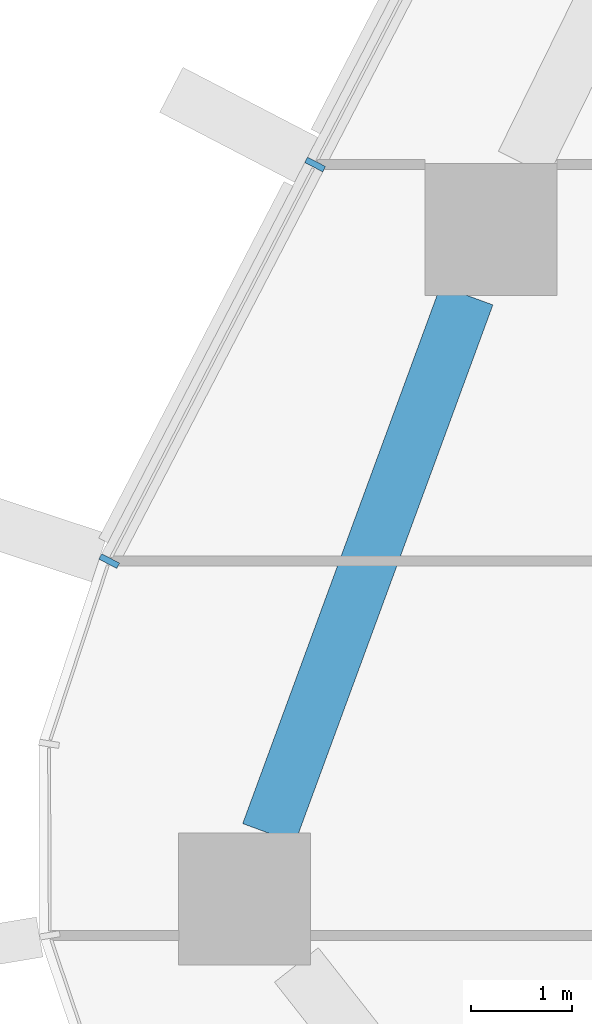
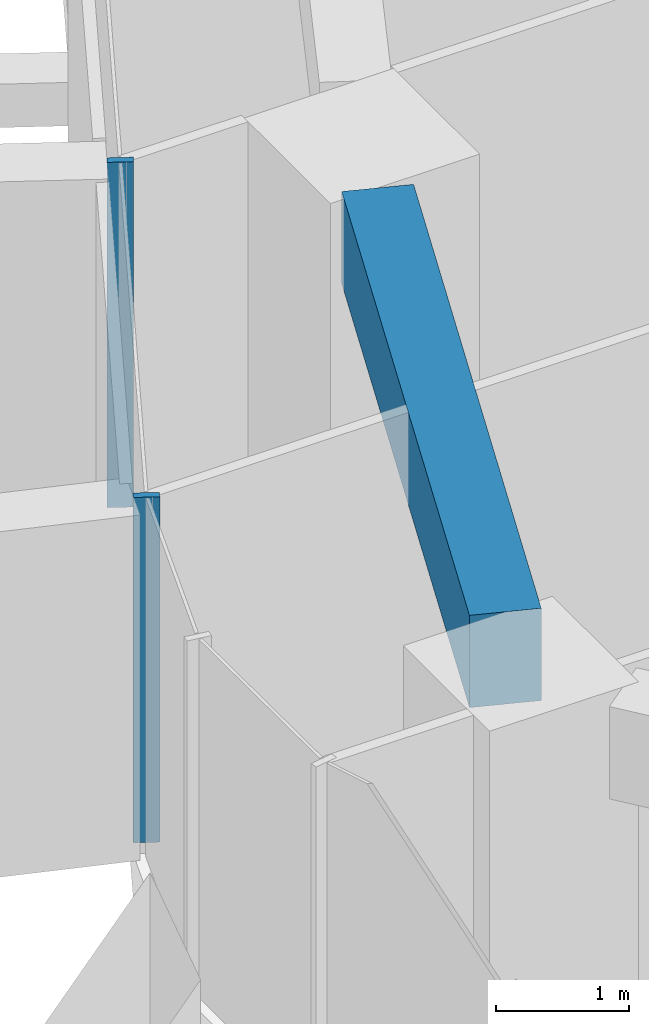
# One storey, part 3 of 24: 2 members, 1 beam, 1 element without a shape of its own.
"""IFC4 building model written with IfcOpenShell, lengths in metres."""

from ifc_helpers import new_model, si_unit, direction, frame, origin, origin_2d, place, context, subcontext, project, spatial, rectangle, extrude, material, layer, layer_set, material_profile, profile_set, type_object, element, aggregate, save


model = new_model("IFC4")

# Units and contexts
model_context = context("Model", 3, precision=1e-05, world=origin(), true_north=direction((0.0, 1.0)))
body_context = subcontext(model_context, "Body", "Model", "MODEL_VIEW")
ifc_project = project(units=[si_unit("LENGTHUNIT", "METRE"), si_unit("AREAUNIT", "SQUARE_METRE"), si_unit("VOLUMEUNIT", "CUBIC_METRE"), si_unit("PLANEANGLEUNIT", "RADIAN"), si_unit("MASSUNIT", "GRAM", prefix="KILO")], contexts=[model_context])

# Site, building, storey
site_placement = place(None, origin())
site = spatial("IfcSite", under=ifc_project, at=site_placement, CompositionType="ELEMENT")
building_placement = place(site_placement, origin())
building = spatial("IfcBuilding", under=site, at=building_placement, Name="Dongbaek Canopy Tower", CompositionType="ELEMENT")
storey_placement = place(building_placement, frame((0.0, 0.0, 106.300048828125)))
storey = spatial("IfcBuildingStorey", under=building, at=storey_placement, Name="L22", CompositionType="ELEMENT", Elevation=106.300048828125)

# Curtain wall, members
ifc_material_1 = material(Name="Aluminium 6063-T6 pale anodised", Category="aluminium")
ifc_layer = layer(ifc_material_1, 0.199951171875)
ifc_layer_set = layer_set([ifc_layer], Name="CW-1 unitised tower curtain wall")
curtain_wall_type = type_object("IfcCurtainWallType", Name="CW-1 unitised tower curtain wall", PredefinedType="NOTDEFINED", material=ifc_layer_set)
curtain_wall_placement = place(storey_placement, origin())
curtain_wall = element("IfcCurtainWall", 1, at=curtain_wall_placement, inside=storey, type_object=curtain_wall_type, Name="CW-1 curtain wall F2.1", PredefinedType="NOTDEFINED")
ifc_material_2 = material(Name="Aluminium 6063-T6 pale anodised", Category="aluminium")
ifc_material_profile_1 = material_profile(ifc_material_2, rectangle(XDim=0.199951171875, YDim=0.06005859375, at=origin_2d()), Name="CW-1 mullion 60 x 200")
ifc_profile_set_1 = profile_set([ifc_material_profile_1], Name="Aluminium 6063-T6 pale anodised")
member_type = type_object("IfcMemberType", Name="CW-1 mullion 60 x 200", PredefinedType="MULLION", material=ifc_profile_set_1)
member_1_placement = place(storey_placement, frame((-29.428466796875, 0.723876953125, 0.119873046875), z_axis=(0.0, 0.0, 1.0), x_axis=(-0.887462609411, 0.460879720641, 0.0)))
member_1 = element("IfcMember", 2, at=member_1_placement, type_object=member_type, Name="CW-1 mullion F2.1.7", PredefinedType="MULLION", context=body_context, shape_type="SweptSolid", body=[
    extrude(rectangle(XDim=0.199951171875, YDim=0.06005859375, at=origin_2d()), origin(), (0.0, 0.0, 1.0), 3.18017578125),
])
member_2_placement = place(storey_placement, frame((-31.46142578125, -3.19091796875, 0.119873046875), z_axis=(0.0, 0.0, 1.0), x_axis=(-0.887462609411, 0.460879720641, 0.0)))
member_2 = element("IfcMember", 3, at=member_2_placement, type_object=member_type, Name="CW-1 mullion F2.1.8", PredefinedType="MULLION", context=body_context, shape_type="SweptSolid", body=[
    extrude(rectangle(XDim=0.199951171875, YDim=0.06005859375, at=origin_2d()), origin(), (0.0, 0.0, 1.0), 3.18017578125),
])
aggregate(curtain_wall, [member_1, member_2])

# Beam
ifc_material_3 = material(Name="Concrete C80", Category="concrete")
ifc_material_profile_2 = material_profile(ifc_material_3, rectangle(XDim=0.550048828125, YDim=0.85009765625, at=origin_2d()), Name="RC EDGE BEAM 550x850 C80")
ifc_profile_set_2 = profile_set([ifc_material_profile_2], Name="Concrete C80")
beam_type = type_object("IfcBeamType", Name="RC EDGE BEAM 550x850 C80", PredefinedType="BEAM", material=ifc_profile_set_2)
beam_placement = place(storey_placement, frame((-29.8857421875, -5.876953125, 2.875), z_axis=(0.345281407117, 0.938499200799, 0.0), x_axis=(-0.938499200799, 0.345281407117, 0.0)))
element("IfcBeam", 4, at=beam_placement, inside=storey, type_object=beam_type, Name="EDGEBEAM:L22:08", PredefinedType="BEAM", context=body_context, shape_type="SweptSolid", body=[
    extrude(rectangle(XDim=0.550048828125, YDim=0.85009765625, at=origin_2d()), origin(), (0.0, 0.0, 1.0), 5.657958984375),
])

save(model, "model.ifc")
